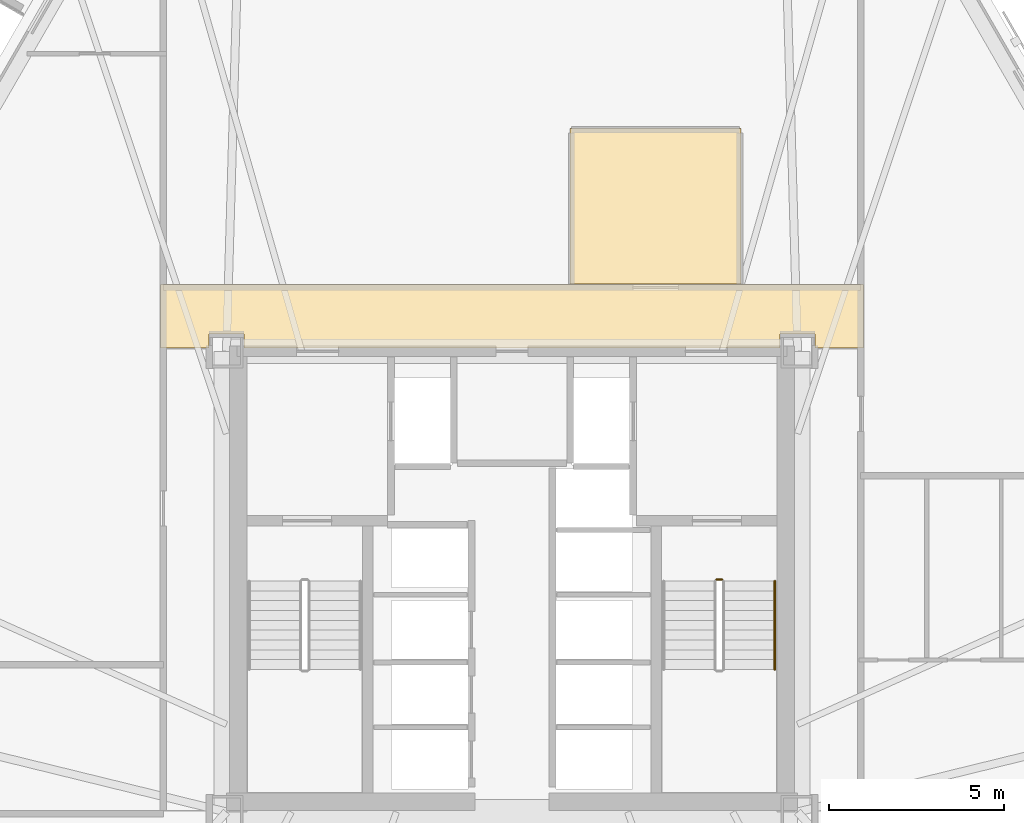
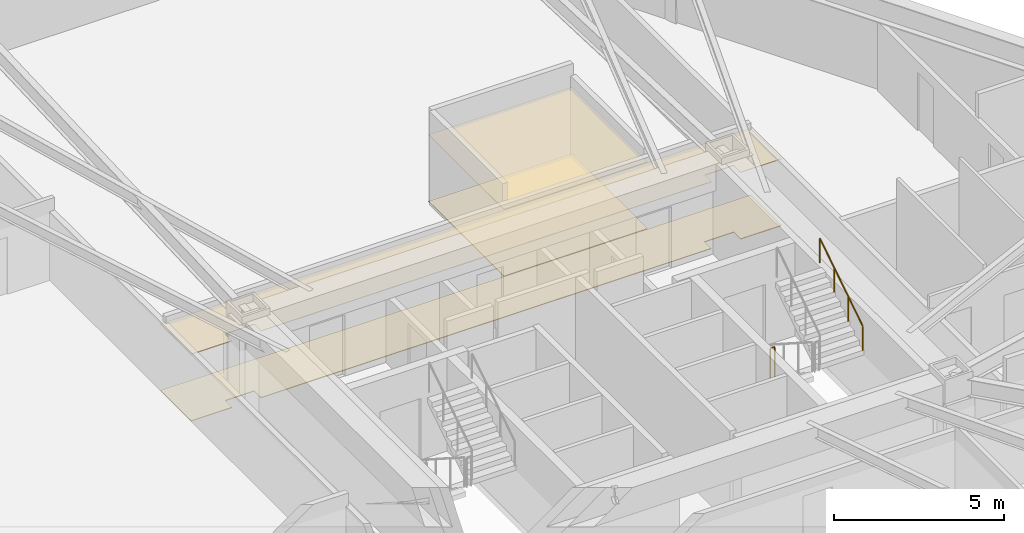
# One storey, part 12 of 13: 4 coverings, 2 railings.
"""IFC4 building model written with IfcOpenShell, lengths in metres."""

from ifc_helpers import new_model, si_unit, direction, frame, origin, origin_2d, place, context, subcontext, project, spatial, polyline, circle, outline, extrude, material, layer, layer_set, type_object, element, save


model = new_model("IFC4")

# Units and contexts
model_context = context("Model", 3, precision=1e-05, world=origin(), true_north=direction((0.0, 1.0)))
body_context = subcontext(model_context, "Body", "Model", "MODEL_VIEW")
ifc_project = project(units=[si_unit("LENGTHUNIT", "METRE"), si_unit("AREAUNIT", "SQUARE_METRE"), si_unit("VOLUMEUNIT", "CUBIC_METRE"), si_unit("PLANEANGLEUNIT", "RADIAN"), si_unit("MASSUNIT", "GRAM", prefix="KILO")], contexts=[model_context])

# Site, building, storey
site_placement = place(None, origin())
site = spatial("IfcSite", under=ifc_project, at=site_placement, CompositionType="ELEMENT")
building_placement = place(site_placement, origin())
building = spatial("IfcBuilding", under=site, at=building_placement, Name="Oramaril Tower", CompositionType="ELEMENT")
storey_placement = place(building_placement, frame((0.0, 0.0, 38.10009765625)))
storey = spatial("IfcBuildingStorey", under=building, at=storey_placement, Name="L09", CompositionType="ELEMENT", Elevation=38.10009765625)

# Coverings
ifc_material_1 = material(Name="Mineral Fibre Acoustic Ceiling")
ifc_layer_1 = layer(ifc_material_1, 0.02001953125)
ifc_layer_set_1 = layer_set([ifc_layer_1], Name="CVT-CEIL")
covering_type_1 = type_object("IfcCoveringType", Name="CVT-CEIL", PredefinedType="CEILING", material=ifc_layer_set_1)
covering_1_placement = place(storey_placement, frame((0.0, 0.0, 2.39990234375)))
element("IfcCovering", 1, at=covering_1_placement, inside=storey, type_object=covering_type_1, Name="L09 Acoustic Suspended Ceiling 2", PredefinedType="CEILING", context=body_context, shape_type="SweptSolid", body=[
    extrude(outline(polyline([(47.530029296875, 24.239990234375), (46.14501953125, 24.239990234375), (46.14501953125, 24.64501953125), (45.155029296875, 24.64501953125), (45.155029296875, 24.25), (29.844970703125, 24.25), (29.844970703125, 24.64501953125), (28.85498046875, 24.64501953125), (28.85498046875, 24.239990234375), (27.469970703125, 24.239990234375), (27.469970703125, 26.050048828125), (47.530029296875, 26.050048828125), (47.530029296875, 24.239990234375)])), origin(), (0.0, 0.0, 1.0), 0.02001953125),
])
covering_2_placement = place(storey_placement, frame((0.0, 0.0, 2.39990234375)))
element("IfcCovering", 2, at=covering_2_placement, inside=storey, type_object=covering_type_1, Name="L09 Acoustic Suspended Ceiling 5", PredefinedType="CEILING", context=body_context, shape_type="SweptSolid", body=[
    extrude(outline(polyline([(44.0419921875, 30.511962890625), (44.0419921875, 26.070068359375), (39.157958984375, 26.070068359375), (39.157958984375, 30.511962890625), (44.0419921875, 30.511962890625)])), origin(), (0.0, 0.0, 1.0), 0.02001953125),
])
ifc_material_2 = material(Name="Honed Quartzite Stone Flooring", Category="masonry")
ifc_layer_2 = layer(ifc_material_2, 0.02490234375)
ifc_layer_set_2 = layer_set([ifc_layer_2], Name="CVT-FLR")
covering_type_2 = type_object("IfcCoveringType", Name="CVT-FLR", PredefinedType="FLOORING", material=ifc_layer_set_2)
covering_3_placement = place(storey_placement, origin())
element("IfcCovering", 3, at=covering_3_placement, inside=storey, type_object=covering_type_2, Name="L09 Honed Stone Floor Finish 2", PredefinedType="FLOORING", context=body_context, shape_type="SweptSolid", body=[
    extrude(outline(polyline([(47.530029296875, 24.239990234375), (46.14501953125, 24.239990234375), (46.14501953125, 24.64501953125), (45.155029296875, 24.64501953125), (45.155029296875, 24.25), (29.844970703125, 24.25), (29.844970703125, 24.64501953125), (28.85498046875, 24.64501953125), (28.85498046875, 24.239990234375), (27.469970703125, 24.239990234375), (27.469970703125, 26.050048828125), (47.530029296875, 26.050048828125), (47.530029296875, 24.239990234375)])), origin(), (0.0, 0.0, 1.0), 0.02490234375),
])
covering_4_placement = place(storey_placement, origin())
element("IfcCovering", 4, at=covering_4_placement, inside=storey, type_object=covering_type_2, Name="L09 Honed Stone Floor Finish 5", PredefinedType="FLOORING", context=body_context, shape_type="SweptSolid", body=[
    extrude(outline(polyline([(44.0419921875, 30.511962890625), (44.0419921875, 26.070068359375), (39.157958984375, 26.070068359375), (39.157958984375, 30.511962890625), (44.0419921875, 30.511962890625)])), origin(), (0.0, 0.0, 1.0), 0.02490234375),
])

# Railings
ifc_material_3 = material(Name="Stainless Steel 316L", Category="steel")
railing_type_1 = type_object("IfcRailingType", Name="RLT-GRD", PredefinedType="GUARDRAIL", material=ifc_material_3)
railing_1_placement = place(storey_placement, frame((43.340087890625, 17.639892578125, 0.0)))
element("IfcRailing", 5, at=railing_1_placement, inside=storey, type_object=railing_type_1, Name="L09 ST-2 stair guard 4", PredefinedType="GUARDRAIL", context=body_context, shape_type="SweptSolid", body=[
    extrude(circle(Radius=0.02392578125, at=origin_2d()), frame((0.0, 0.0, 1.076171875), z_axis=(1.0, 0.0, 0.0), x_axis=(0.0, 1.0, 0.0)), (0.0, 0.0, 1.0), 0.14990234375),
    extrude(circle(Radius=0.02099609375, at=origin_2d()), origin(), (0.0, 0.0, 1.0), 1.052001953125),
    extrude(circle(Radius=0.02099609375, at=origin_2d()), frame((0.14990234375, 0.0, 0.0)), (0.0, 0.0, 1.0), 1.052001953125),
])
ifc_material_4 = material(Name="Stainless Steel 316L", Category="steel")
railing_type_2 = type_object("IfcRailingType", Name="RLT-HND", PredefinedType="HANDRAIL", material=ifc_material_4)
railing_2_placement = place(storey_placement, frame((45.0, 15.070068359375, 1.97998046875)))
element("IfcRailing", 6, at=railing_2_placement, inside=storey, type_object=railing_type_2, Name="L09 ST-2 stair handrail 2", PredefinedType="HANDRAIL", context=body_context, shape_type="SweptSolid", body=[
    extrude(circle(Radius=0.02392578125, at=origin_2d()), frame((0.0, 0.0, 0.8759765625), z_axis=(0.0, 0.841199657755, 0.540724639528), x_axis=(-1.0, 0.0, 0.0)), (0.0, 0.0, 1.0), 2.995849609375),
    extrude(circle(Radius=0.02099609375, at=origin_2d()), origin(), (0.0, 0.0, 1.0), 0.851806640625),
    extrude(circle(Radius=0.02099609375, at=origin_2d()), frame((0.0, 0.840087890625, 0.5400390625)), (0.0, 0.0, 1.0), 0.851806640625),
    extrude(circle(Radius=0.02099609375, at=origin_2d()), frame((0.0, 1.679931640625, 1.079833984375)), (0.0, 0.0, 1.0), 0.851806640625),
    extrude(circle(Radius=0.02099609375, at=origin_2d()), frame((0.0, 2.52001953125, 1.619873046875)), (0.0, 0.0, 1.0), 0.851806640625),
])

save(model, "model.ifc")
